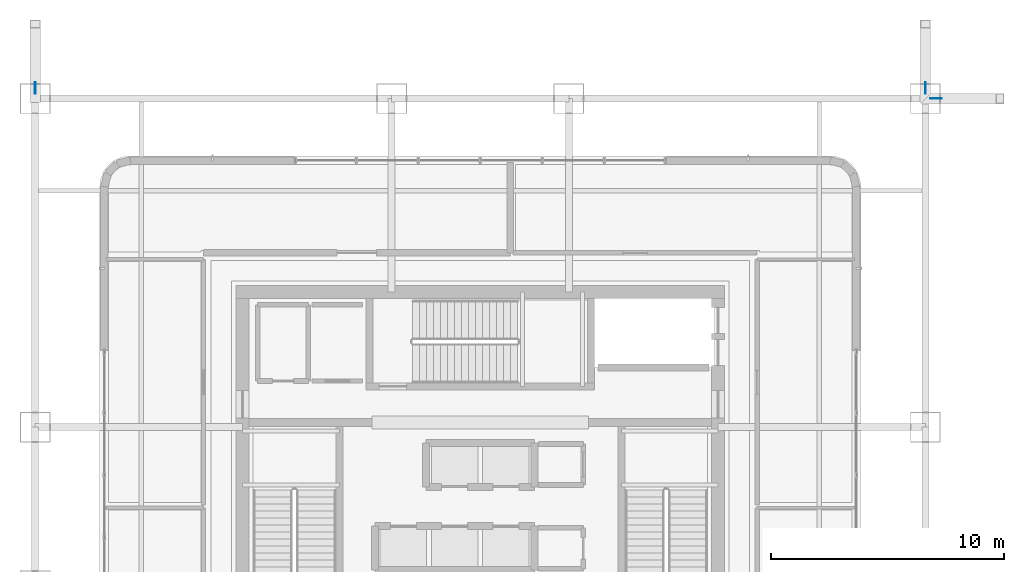
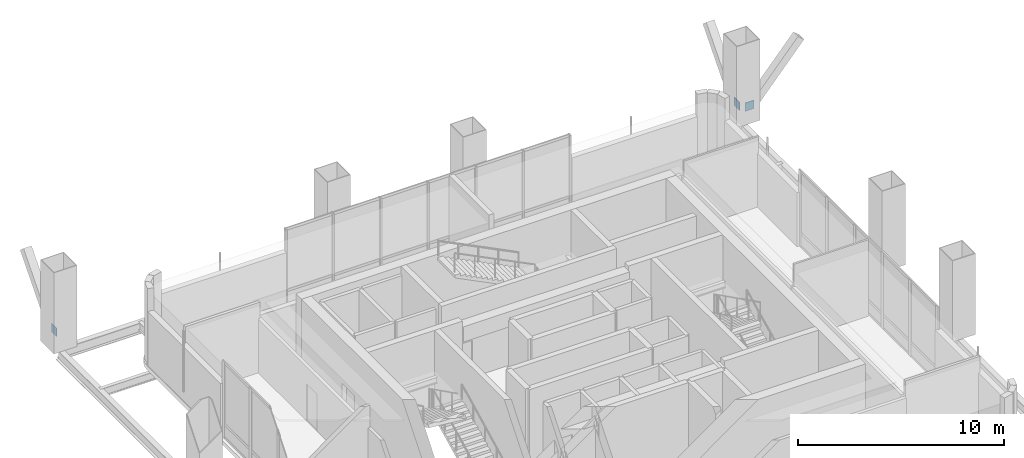
# One storey, part 19 of 33: 3 plates.
"""IFC4 building model written with IfcOpenShell, lengths in metres."""

from ifc_helpers import new_model, si_unit, direction, frame, origin, origin_2d, place, context, subcontext, project, spatial, rectangle, extrude, material, layer, layer_set, type_object, element, save


model = new_model("IFC4")

# Units and contexts
model_context = context("Model", 3, precision=1e-05, world=origin(), true_north=direction((0.0, 1.0)))
body_context = subcontext(model_context, "Body", "Model", "MODEL_VIEW")
ifc_project = project(units=[si_unit("LENGTHUNIT", "METRE"), si_unit("AREAUNIT", "SQUARE_METRE"), si_unit("VOLUMEUNIT", "CUBIC_METRE"), si_unit("PLANEANGLEUNIT", "RADIAN"), si_unit("MASSUNIT", "GRAM", prefix="KILO")], contexts=[model_context])

# Site, building, storey
site_placement = place(None, origin())
site = spatial("IfcSite", under=ifc_project, at=site_placement, CompositionType="ELEMENT")
building_placement = place(site_placement, origin())
building = spatial("IfcBuilding", under=site, at=building_placement, Name="Punatoya Terracotta Tower", CompositionType="ELEMENT")
storey_placement = place(building_placement, frame((0.0, 0.0, 246.60009765625)))
storey = spatial("IfcBuildingStorey", under=building, at=storey_placement, Name="L58", CompositionType="ELEMENT", Elevation=246.60009765625)

# Plates
ifc_material = material(Name="Steel S460", Category="steel")
ifc_layer = layer(ifc_material, 0.031982421875)
ifc_layer_set = layer_set([ifc_layer], Name="Steel S460")
plate_type = type_object("IfcPlateType", Name="PLT-END-32", PredefinedType="USERDEFINED", material=ifc_layer_set)
for number, where, z_axis, x_axis, name in (
    (1, (19.548095703125, 17.5, 0.287841796875), (0.0, 0.0, 1.0), (1.0, 0.0, 0.0), "L59 Knee-Strut Base Gusset Plate E2"),
    (2, (-19.10009765625, 17.947998046875, 0.287841796875), (0.0, 0.0, 1.0), (0.0, 1.0, 0.0), "L59 Knee-Strut Base Gusset Plate N1"),
    (3, (19.10009765625, 17.947998046875, 0.287841796875), (0.0, 0.0, 1.0), (0.0, 1.0, 0.0), "L59 Knee-Strut Base Gusset Plate N2"),
):
    element("IfcPlate", number, at=place(storey_placement, frame(where, z_axis=z_axis, x_axis=x_axis)), inside=storey, type_object=plate_type, Name=name, ObjectType="FLANGE_PLATE", PredefinedType="USERDEFINED", context=body_context, shape_type="SweptSolid", body=[
        extrude(rectangle(XDim=0.5, YDim=0.031982421875, at=origin_2d()), origin(), (0.0, 0.0, 1.0), 0.5),
    ])

save(model, "model.ifc")
